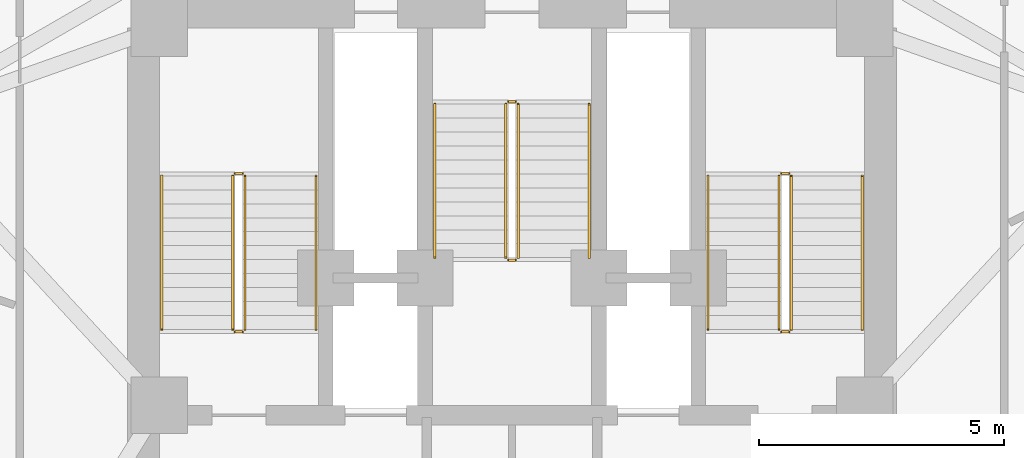
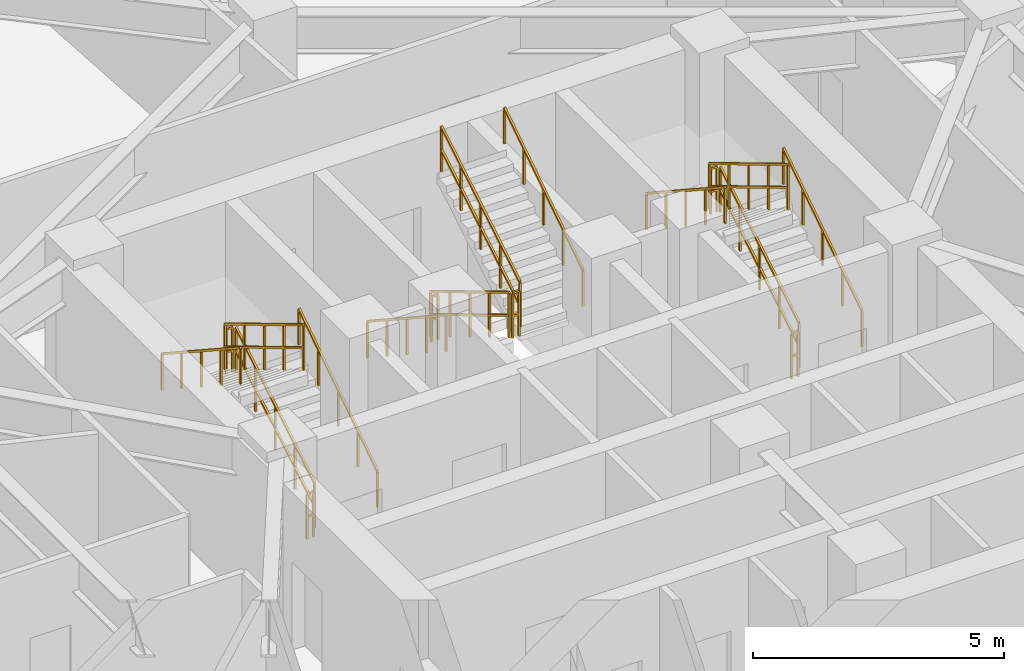
# One storey, part 11 of 12: 18 railings.
"""IFC4 building model written with IfcOpenShell, lengths in metres."""

from ifc_helpers import new_model, si_unit, direction, frame, origin, origin_2d, place, context, subcontext, project, spatial, rectangle, extrude, material, type_object, element, save


model = new_model("IFC4")

# Units and contexts
model_context = context("Model", 3, precision=1e-05, world=origin(), true_north=direction((0.0, 1.0)))
body_context = subcontext(model_context, "Body", "Model", "MODEL_VIEW")
ifc_project = project(units=[si_unit("LENGTHUNIT", "METRE"), si_unit("AREAUNIT", "SQUARE_METRE"), si_unit("VOLUMEUNIT", "CUBIC_METRE"), si_unit("PLANEANGLEUNIT", "RADIAN"), si_unit("MASSUNIT", "GRAM", prefix="KILO")], contexts=[model_context])

# Site, building, storey
site_placement = place(None, origin())
site = spatial("IfcSite", under=ifc_project, at=site_placement, CompositionType="ELEMENT")
building_placement = place(site_placement, origin())
building = spatial("IfcBuilding", under=site, at=building_placement, Name="Apsidion Concourse Tower", CompositionType="ELEMENT")
storey_placement = place(building_placement, frame((0.0, 0.0, 198.300048828125)))
storey = spatial("IfcBuildingStorey", under=building, at=storey_placement, Name="L46", CompositionType="ELEMENT", Elevation=198.300048828125)

# Railings
ifc_material = material(Name="Brushed stainless steel 316", Category="steel")
railing_type_1 = type_object("IfcRailingType", Name="RL-GUARD-1100", PredefinedType="GUARDRAIL", material=ifc_material)
railing_1_placement = place(storey_placement, frame((-5.449951171875, 3.0, 0.1708984375)))
element("IfcRailing", 1, at=railing_1_placement, inside=storey, type_object=railing_type_1, Name="L46 ST1 stair guard 1", PredefinedType="GUARDRAIL", context=body_context, shape_type="SweptSolid", body=[
    extrude(rectangle(XDim=0.048095703125, YDim=0.048095703125, at=origin_2d()), frame((0.0, 0.0, 1.09619140625), z_axis=(0.0, 0.857716804754, 0.514122439544), x_axis=(-1.0, 0.0, 0.0)), (0.0, 0.0, 1.0), 3.655029296875),
    extrude(rectangle(XDim=0.048095703125, YDim=0.048095703125, at=origin_2d()), frame((0.0, 0.0, 0.5361328125), z_axis=(0.0, 0.857716804754, 0.514122439544), x_axis=(-1.0, 0.0, 0.0)), (0.0, 0.0, 1.0), 3.655029296875),
    extrude(rectangle(XDim=0.0419921875, YDim=0.0419921875, at=origin_2d()), origin(), (0.0, 0.0, 1.0), 1.072021484375),
    extrude(rectangle(XDim=0.0419921875, YDim=0.0419921875, at=origin_2d()), frame((0.0, 0.78369140625, 0.4697265625)), (0.0, 0.0, 1.0), 1.072021484375),
    extrude(rectangle(XDim=0.0419921875, YDim=0.0419921875, at=origin_2d()), frame((0.0, 1.5673828125, 0.939453125)), (0.0, 0.0, 1.0), 1.072021484375),
    extrude(rectangle(XDim=0.0419921875, YDim=0.0419921875, at=origin_2d()), frame((0.0, 2.351318359375, 1.409423828125)), (0.0, 0.0, 1.0), 1.072021484375),
    extrude(rectangle(XDim=0.0419921875, YDim=0.0419921875, at=origin_2d()), frame((0.0, 3.135009765625, 1.879150390625)), (0.0, 0.0, 1.0), 1.072021484375),
])
railing_2_placement = place(storey_placement, frame((-5.5, 6.18505859375, 2.050048828125)))
element("IfcRailing", 2, at=railing_2_placement, inside=storey, type_object=railing_type_1, Name="L46 ST1 stair guard 2", PredefinedType="GUARDRAIL", context=body_context, shape_type="SweptSolid", body=[
    extrude(rectangle(XDim=0.048095703125, YDim=0.048095703125, at=origin_2d()), frame((0.0, 0.0, 1.09619140625), z_axis=(-1.0, 0.0, 0.0), x_axis=(0.0, -1.0, 0.0)), (0.0, 0.0, 1.0), 0.14990234375),
    extrude(rectangle(XDim=0.048095703125, YDim=0.048095703125, at=origin_2d()), frame((0.0, 0.0, 0.5361328125), z_axis=(-1.0, 0.0, 0.0), x_axis=(0.0, -1.0, 0.0)), (0.0, 0.0, 1.0), 0.14990234375),
    extrude(rectangle(XDim=0.0419921875, YDim=0.0419921875, at=origin_2d()), origin(), (0.0, 0.0, 1.0), 1.072021484375),
    extrude(rectangle(XDim=0.0419921875, YDim=0.0419921875, at=origin_2d()), frame((-0.14990234375, 0.0, 0.0)), (0.0, 0.0, 1.0), 1.072021484375),
])
railing_3_placement = place(storey_placement, frame((-5.699951171875, 6.135009765625, 2.220703125)))
element("IfcRailing", 3, at=railing_3_placement, inside=storey, type_object=railing_type_1, Name="L46 ST1 stair guard 3", PredefinedType="GUARDRAIL", context=body_context, shape_type="SweptSolid", body=[
    extrude(rectangle(XDim=0.048095703125, YDim=0.048095703125, at=origin_2d()), frame((0.0, 0.0, 1.09619140625), z_axis=(0.0, -0.857716804754, 0.514122439544), x_axis=(1.0, 0.0, 0.0)), (0.0, 0.0, 1.0), 3.655029296875),
    extrude(rectangle(XDim=0.048095703125, YDim=0.048095703125, at=origin_2d()), frame((0.0, 0.0, 0.5361328125), z_axis=(0.0, -0.857716804754, 0.514122439544), x_axis=(1.0, 0.0, 0.0)), (0.0, 0.0, 1.0), 3.655029296875),
    extrude(rectangle(XDim=0.0419921875, YDim=0.0419921875, at=origin_2d()), origin(), (0.0, 0.0, 1.0), 1.072021484375),
    extrude(rectangle(XDim=0.0419921875, YDim=0.0419921875, at=origin_2d()), frame((0.0, -0.78369140625, 0.4697265625)), (0.0, 0.0, 1.0), 1.072021484375),
    extrude(rectangle(XDim=0.0419921875, YDim=0.0419921875, at=origin_2d()), frame((0.0, -1.5673828125, 0.939453125)), (0.0, 0.0, 1.0), 1.072021484375),
    extrude(rectangle(XDim=0.0419921875, YDim=0.0419921875, at=origin_2d()), frame((0.0, -2.351318359375, 1.409423828125)), (0.0, 0.0, 1.0), 1.072021484375),
    extrude(rectangle(XDim=0.0419921875, YDim=0.0419921875, at=origin_2d()), frame((0.0, -3.135009765625, 1.879150390625)), (0.0, 0.0, 1.0), 1.072021484375),
])
railing_4_placement = place(storey_placement, frame((-5.5, 2.949951171875, 0.0)))
element("IfcRailing", 4, at=railing_4_placement, inside=storey, type_object=railing_type_1, Name="L46 ST1 stair guard 4", PredefinedType="GUARDRAIL", context=body_context, shape_type="SweptSolid", body=[
    extrude(rectangle(XDim=0.048095703125, YDim=0.048095703125, at=origin_2d()), frame((0.0, 0.0, 1.09619140625), z_axis=(-1.0, 0.0, 0.0), x_axis=(0.0, -1.0, 0.0)), (0.0, 0.0, 1.0), 0.14990234375),
    extrude(rectangle(XDim=0.048095703125, YDim=0.048095703125, at=origin_2d()), frame((0.0, 0.0, 0.5361328125), z_axis=(-1.0, 0.0, 0.0), x_axis=(0.0, -1.0, 0.0)), (0.0, 0.0, 1.0), 0.14990234375),
    extrude(rectangle(XDim=0.0419921875, YDim=0.0419921875, at=origin_2d()), origin(), (0.0, 0.0, 1.0), 1.072021484375),
    extrude(rectangle(XDim=0.0419921875, YDim=0.0419921875, at=origin_2d()), frame((-0.14990234375, 0.0, 0.0)), (0.0, 0.0, 1.0), 1.072021484375),
])
railing_5_placement = place(storey_placement, frame((5.699951171875, 3.0, 0.1708984375)))
element("IfcRailing", 5, at=railing_5_placement, inside=storey, type_object=railing_type_1, Name="L46 ST2 stair guard 1", PredefinedType="GUARDRAIL", context=body_context, shape_type="SweptSolid", body=[
    extrude(rectangle(XDim=0.048095703125, YDim=0.048095703125, at=origin_2d()), frame((0.0, 0.0, 1.09619140625), z_axis=(0.0, 0.857716804754, 0.514122439544), x_axis=(-1.0, 0.0, 0.0)), (0.0, 0.0, 1.0), 3.655029296875),
    extrude(rectangle(XDim=0.048095703125, YDim=0.048095703125, at=origin_2d()), frame((0.0, 0.0, 0.5361328125), z_axis=(0.0, 0.857716804754, 0.514122439544), x_axis=(-1.0, 0.0, 0.0)), (0.0, 0.0, 1.0), 3.655029296875),
    extrude(rectangle(XDim=0.0419921875, YDim=0.0419921875, at=origin_2d()), origin(), (0.0, 0.0, 1.0), 1.072021484375),
    extrude(rectangle(XDim=0.0419921875, YDim=0.0419921875, at=origin_2d()), frame((0.0, 0.78369140625, 0.4697265625)), (0.0, 0.0, 1.0), 1.072021484375),
    extrude(rectangle(XDim=0.0419921875, YDim=0.0419921875, at=origin_2d()), frame((0.0, 1.5673828125, 0.939453125)), (0.0, 0.0, 1.0), 1.072021484375),
    extrude(rectangle(XDim=0.0419921875, YDim=0.0419921875, at=origin_2d()), frame((0.0, 2.351318359375, 1.409423828125)), (0.0, 0.0, 1.0), 1.072021484375),
    extrude(rectangle(XDim=0.0419921875, YDim=0.0419921875, at=origin_2d()), frame((0.0, 3.135009765625, 1.879150390625)), (0.0, 0.0, 1.0), 1.072021484375),
])
railing_6_placement = place(storey_placement, frame((5.64990234375, 6.18505859375, 2.050048828125)))
element("IfcRailing", 6, at=railing_6_placement, inside=storey, type_object=railing_type_1, Name="L46 ST2 stair guard 2", PredefinedType="GUARDRAIL", context=body_context, shape_type="SweptSolid", body=[
    extrude(rectangle(XDim=0.048095703125, YDim=0.048095703125, at=origin_2d()), frame((0.0, 0.0, 1.09619140625), z_axis=(-1.0, 0.0, 0.0), x_axis=(0.0, -1.0, 0.0)), (0.0, 0.0, 1.0), 0.14990234375),
    extrude(rectangle(XDim=0.048095703125, YDim=0.048095703125, at=origin_2d()), frame((0.0, 0.0, 0.5361328125), z_axis=(-1.0, 0.0, 0.0), x_axis=(0.0, -1.0, 0.0)), (0.0, 0.0, 1.0), 0.14990234375),
    extrude(rectangle(XDim=0.0419921875, YDim=0.0419921875, at=origin_2d()), origin(), (0.0, 0.0, 1.0), 1.072021484375),
    extrude(rectangle(XDim=0.0419921875, YDim=0.0419921875, at=origin_2d()), frame((-0.14990234375, 0.0, 0.0)), (0.0, 0.0, 1.0), 1.072021484375),
])
railing_7_placement = place(storey_placement, frame((5.449951171875, 6.135009765625, 2.220703125)))
element("IfcRailing", 7, at=railing_7_placement, inside=storey, type_object=railing_type_1, Name="L46 ST2 stair guard 3", PredefinedType="GUARDRAIL", context=body_context, shape_type="SweptSolid", body=[
    extrude(rectangle(XDim=0.048095703125, YDim=0.048095703125, at=origin_2d()), frame((0.0, 0.0, 1.09619140625), z_axis=(0.0, -0.857716804754, 0.514122439544), x_axis=(1.0, 0.0, 0.0)), (0.0, 0.0, 1.0), 3.655029296875),
    extrude(rectangle(XDim=0.048095703125, YDim=0.048095703125, at=origin_2d()), frame((0.0, 0.0, 0.5361328125), z_axis=(0.0, -0.857716804754, 0.514122439544), x_axis=(1.0, 0.0, 0.0)), (0.0, 0.0, 1.0), 3.655029296875),
    extrude(rectangle(XDim=0.0419921875, YDim=0.0419921875, at=origin_2d()), origin(), (0.0, 0.0, 1.0), 1.072021484375),
    extrude(rectangle(XDim=0.0419921875, YDim=0.0419921875, at=origin_2d()), frame((0.0, -0.78369140625, 0.4697265625)), (0.0, 0.0, 1.0), 1.072021484375),
    extrude(rectangle(XDim=0.0419921875, YDim=0.0419921875, at=origin_2d()), frame((0.0, -1.5673828125, 0.939453125)), (0.0, 0.0, 1.0), 1.072021484375),
    extrude(rectangle(XDim=0.0419921875, YDim=0.0419921875, at=origin_2d()), frame((0.0, -2.351318359375, 1.409423828125)), (0.0, 0.0, 1.0), 1.072021484375),
    extrude(rectangle(XDim=0.0419921875, YDim=0.0419921875, at=origin_2d()), frame((0.0, -3.135009765625, 1.879150390625)), (0.0, 0.0, 1.0), 1.072021484375),
])
railing_8_placement = place(storey_placement, frame((5.64990234375, 2.949951171875, 0.0)))
element("IfcRailing", 8, at=railing_8_placement, inside=storey, type_object=railing_type_1, Name="L46 ST2 stair guard 4", PredefinedType="GUARDRAIL", context=body_context, shape_type="SweptSolid", body=[
    extrude(rectangle(XDim=0.048095703125, YDim=0.048095703125, at=origin_2d()), frame((0.0, 0.0, 1.09619140625), z_axis=(-1.0, 0.0, 0.0), x_axis=(0.0, -1.0, 0.0)), (0.0, 0.0, 1.0), 0.14990234375),
    extrude(rectangle(XDim=0.048095703125, YDim=0.048095703125, at=origin_2d()), frame((0.0, 0.0, 0.5361328125), z_axis=(-1.0, 0.0, 0.0), x_axis=(0.0, -1.0, 0.0)), (0.0, 0.0, 1.0), 0.14990234375),
    extrude(rectangle(XDim=0.0419921875, YDim=0.0419921875, at=origin_2d()), origin(), (0.0, 0.0, 1.0), 1.072021484375),
    extrude(rectangle(XDim=0.0419921875, YDim=0.0419921875, at=origin_2d()), frame((-0.14990234375, 0.0, 0.0)), (0.0, 0.0, 1.0), 1.072021484375),
])
railing_9_placement = place(storey_placement, frame((-0.125, 7.60009765625, 0.1708984375)))
element("IfcRailing", 9, at=railing_9_placement, inside=storey, type_object=railing_type_1, Name="L46 ST3 stair guard 1", PredefinedType="GUARDRAIL", context=body_context, shape_type="SweptSolid", body=[
    extrude(rectangle(XDim=0.048095703125, YDim=0.048095703125, at=origin_2d()), frame((0.0, 0.0, 1.09619140625), z_axis=(0.0, -0.857716804754, 0.514122439544), x_axis=(1.0, 0.0, 0.0)), (0.0, 0.0, 1.0), 3.655029296875),
    extrude(rectangle(XDim=0.048095703125, YDim=0.048095703125, at=origin_2d()), frame((0.0, 0.0, 0.5361328125), z_axis=(0.0, -0.857716804754, 0.514122439544), x_axis=(1.0, 0.0, 0.0)), (0.0, 0.0, 1.0), 3.655029296875),
    extrude(rectangle(XDim=0.0419921875, YDim=0.0419921875, at=origin_2d()), origin(), (0.0, 0.0, 1.0), 1.072021484375),
    extrude(rectangle(XDim=0.0419921875, YDim=0.0419921875, at=origin_2d()), frame((0.0, -0.78369140625, 0.4697265625)), (0.0, 0.0, 1.0), 1.072021484375),
    extrude(rectangle(XDim=0.0419921875, YDim=0.0419921875, at=origin_2d()), frame((0.0, -1.5673828125, 0.939453125)), (0.0, 0.0, 1.0), 1.072021484375),
    extrude(rectangle(XDim=0.0419921875, YDim=0.0419921875, at=origin_2d()), frame((0.0, -2.351318359375, 1.409423828125)), (0.0, 0.0, 1.0), 1.072021484375),
    extrude(rectangle(XDim=0.0419921875, YDim=0.0419921875, at=origin_2d()), frame((0.0, -3.135009765625, 1.879150390625)), (0.0, 0.0, 1.0), 1.072021484375),
])
railing_10_placement = place(storey_placement, frame((-0.074951171875, 4.4150390625, 2.050048828125)))
element("IfcRailing", 10, at=railing_10_placement, inside=storey, type_object=railing_type_1, Name="L46 ST3 stair guard 2", PredefinedType="GUARDRAIL", context=body_context, shape_type="SweptSolid", body=[
    extrude(rectangle(XDim=0.048095703125, YDim=0.048095703125, at=origin_2d()), frame((0.0, 0.0, 1.09619140625), z_axis=(1.0, 0.0, 0.0), x_axis=(0.0, 1.0, 0.0)), (0.0, 0.0, 1.0), 0.14990234375),
    extrude(rectangle(XDim=0.048095703125, YDim=0.048095703125, at=origin_2d()), frame((0.0, 0.0, 0.5361328125), z_axis=(1.0, 0.0, 0.0), x_axis=(0.0, 1.0, 0.0)), (0.0, 0.0, 1.0), 0.14990234375),
    extrude(rectangle(XDim=0.0419921875, YDim=0.0419921875, at=origin_2d()), origin(), (0.0, 0.0, 1.0), 1.072021484375),
    extrude(rectangle(XDim=0.0419921875, YDim=0.0419921875, at=origin_2d()), frame((0.14990234375, 0.0, 0.0)), (0.0, 0.0, 1.0), 1.072021484375),
])
railing_11_placement = place(storey_placement, frame((0.125, 4.465087890625, 2.220703125)))
element("IfcRailing", 11, at=railing_11_placement, inside=storey, type_object=railing_type_1, Name="L46 ST3 stair guard 3", PredefinedType="GUARDRAIL", context=body_context, shape_type="SweptSolid", body=[
    extrude(rectangle(XDim=0.048095703125, YDim=0.048095703125, at=origin_2d()), frame((0.0, 0.0, 1.09619140625), z_axis=(0.0, 0.857716804754, 0.514122439544), x_axis=(-1.0, 0.0, 0.0)), (0.0, 0.0, 1.0), 3.655029296875),
    extrude(rectangle(XDim=0.048095703125, YDim=0.048095703125, at=origin_2d()), frame((0.0, 0.0, 0.5361328125), z_axis=(0.0, 0.857716804754, 0.514122439544), x_axis=(-1.0, 0.0, 0.0)), (0.0, 0.0, 1.0), 3.655029296875),
    extrude(rectangle(XDim=0.0419921875, YDim=0.0419921875, at=origin_2d()), origin(), (0.0, 0.0, 1.0), 1.072021484375),
    extrude(rectangle(XDim=0.0419921875, YDim=0.0419921875, at=origin_2d()), frame((0.0, 0.78369140625, 0.4697265625)), (0.0, 0.0, 1.0), 1.072021484375),
    extrude(rectangle(XDim=0.0419921875, YDim=0.0419921875, at=origin_2d()), frame((0.0, 1.5673828125, 0.939453125)), (0.0, 0.0, 1.0), 1.072021484375),
    extrude(rectangle(XDim=0.0419921875, YDim=0.0419921875, at=origin_2d()), frame((0.0, 2.351318359375, 1.409423828125)), (0.0, 0.0, 1.0), 1.072021484375),
    extrude(rectangle(XDim=0.0419921875, YDim=0.0419921875, at=origin_2d()), frame((0.0, 3.135009765625, 1.879150390625)), (0.0, 0.0, 1.0), 1.072021484375),
])
railing_12_placement = place(storey_placement, frame((-0.074951171875, 7.64990234375, 0.0)))
element("IfcRailing", 12, at=railing_12_placement, inside=storey, type_object=railing_type_1, Name="L46 ST3 stair guard 4", PredefinedType="GUARDRAIL", context=body_context, shape_type="SweptSolid", body=[
    extrude(rectangle(XDim=0.048095703125, YDim=0.048095703125, at=origin_2d()), frame((0.0, 0.0, 1.09619140625), z_axis=(1.0, 0.0, 0.0), x_axis=(0.0, 1.0, 0.0)), (0.0, 0.0, 1.0), 0.14990234375),
    extrude(rectangle(XDim=0.048095703125, YDim=0.048095703125, at=origin_2d()), frame((0.0, 0.0, 0.5361328125), z_axis=(1.0, 0.0, 0.0), x_axis=(0.0, 1.0, 0.0)), (0.0, 0.0, 1.0), 0.14990234375),
    extrude(rectangle(XDim=0.0419921875, YDim=0.0419921875, at=origin_2d()), origin(), (0.0, 0.0, 1.0), 1.072021484375),
    extrude(rectangle(XDim=0.0419921875, YDim=0.0419921875, at=origin_2d()), frame((0.14990234375, 0.0, 0.0)), (0.0, 0.0, 1.0), 1.072021484375),
])
railing_type_2 = type_object("IfcRailingType", Name="RL-HAND-900", PredefinedType="HANDRAIL", material=ifc_material)
railing_13_placement = place(storey_placement, frame((-4.0, 3.0, 0.1708984375)))
element("IfcRailing", 13, at=railing_13_placement, inside=storey, type_object=railing_type_2, Name="L46 ST1 stair handrail 1", PredefinedType="HANDRAIL", context=body_context, shape_type="SweptSolid", body=[
    extrude(rectangle(XDim=0.048095703125, YDim=0.048095703125, at=origin_2d()), frame((0.0, 0.0, 0.8759765625), z_axis=(0.0, 0.836970762213, 0.547247606848), x_axis=(-1.0, 0.0, 0.0)), (0.0, 0.0, 1.0), 3.74560546875),
    extrude(rectangle(XDim=0.0419921875, YDim=0.0419921875, at=origin_2d()), origin(), (0.0, 0.0, 1.0), 0.851806640625),
    extrude(rectangle(XDim=0.0419921875, YDim=0.0419921875, at=origin_2d()), frame((0.0, 0.78369140625, 0.512451171875)), (0.0, 0.0, 1.0), 0.851806640625),
    extrude(rectangle(XDim=0.0419921875, YDim=0.0419921875, at=origin_2d()), frame((0.0, 1.5673828125, 1.02490234375)), (0.0, 0.0, 1.0), 0.851806640625),
    extrude(rectangle(XDim=0.0419921875, YDim=0.0419921875, at=origin_2d()), frame((0.0, 2.351318359375, 1.537353515625)), (0.0, 0.0, 1.0), 0.851806640625),
    extrude(rectangle(XDim=0.0419921875, YDim=0.0419921875, at=origin_2d()), frame((0.0, 3.135009765625, 2.0498046875)), (0.0, 0.0, 1.0), 0.851806640625),
])
railing_14_placement = place(storey_placement, frame((-7.14990234375, 6.135009765625, 2.220703125)))
element("IfcRailing", 14, at=railing_14_placement, inside=storey, type_object=railing_type_2, Name="L46 ST1 stair handrail 2", PredefinedType="HANDRAIL", context=body_context, shape_type="SweptSolid", body=[
    extrude(rectangle(XDim=0.048095703125, YDim=0.048095703125, at=origin_2d()), frame((0.0, 0.0, 0.8759765625), z_axis=(0.0, -0.836940907821, 0.547293263996), x_axis=(1.0, 0.0, 0.0)), (0.0, 0.0, 1.0), 3.745849609375),
    extrude(rectangle(XDim=0.0419921875, YDim=0.0419921875, at=origin_2d()), origin(), (0.0, 0.0, 1.0), 0.851806640625),
    extrude(rectangle(XDim=0.0419921875, YDim=0.0419921875, at=origin_2d()), frame((0.0, -0.78369140625, 0.512451171875)), (0.0, 0.0, 1.0), 0.851806640625),
    extrude(rectangle(XDim=0.0419921875, YDim=0.0419921875, at=origin_2d()), frame((0.0, -1.5673828125, 1.02490234375)), (0.0, 0.0, 1.0), 0.851806640625),
    extrude(rectangle(XDim=0.0419921875, YDim=0.0419921875, at=origin_2d()), frame((0.0, -2.351318359375, 1.53759765625)), (0.0, 0.0, 1.0), 0.851806640625),
    extrude(rectangle(XDim=0.0419921875, YDim=0.0419921875, at=origin_2d()), frame((0.0, -3.135009765625, 2.050048828125)), (0.0, 0.0, 1.0), 0.851806640625),
])
railing_15_placement = place(storey_placement, frame((7.14990234375, 3.0, 0.1708984375)))
element("IfcRailing", 15, at=railing_15_placement, inside=storey, type_object=railing_type_2, Name="L46 ST2 stair handrail 1", PredefinedType="HANDRAIL", context=body_context, shape_type="SweptSolid", body=[
    extrude(rectangle(XDim=0.048095703125, YDim=0.048095703125, at=origin_2d()), frame((0.0, 0.0, 0.8759765625), z_axis=(0.0, 0.836970762213, 0.547247606848), x_axis=(-1.0, 0.0, 0.0)), (0.0, 0.0, 1.0), 3.74560546875),
    extrude(rectangle(XDim=0.0419921875, YDim=0.0419921875, at=origin_2d()), origin(), (0.0, 0.0, 1.0), 0.851806640625),
    extrude(rectangle(XDim=0.0419921875, YDim=0.0419921875, at=origin_2d()), frame((0.0, 0.78369140625, 0.512451171875)), (0.0, 0.0, 1.0), 0.851806640625),
    extrude(rectangle(XDim=0.0419921875, YDim=0.0419921875, at=origin_2d()), frame((0.0, 1.5673828125, 1.02490234375)), (0.0, 0.0, 1.0), 0.851806640625),
    extrude(rectangle(XDim=0.0419921875, YDim=0.0419921875, at=origin_2d()), frame((0.0, 2.351318359375, 1.537353515625)), (0.0, 0.0, 1.0), 0.851806640625),
    extrude(rectangle(XDim=0.0419921875, YDim=0.0419921875, at=origin_2d()), frame((0.0, 3.135009765625, 2.0498046875)), (0.0, 0.0, 1.0), 0.851806640625),
])
railing_16_placement = place(storey_placement, frame((4.0, 6.135009765625, 2.220703125)))
element("IfcRailing", 16, at=railing_16_placement, inside=storey, type_object=railing_type_2, Name="L46 ST2 stair handrail 2", PredefinedType="HANDRAIL", context=body_context, shape_type="SweptSolid", body=[
    extrude(rectangle(XDim=0.048095703125, YDim=0.048095703125, at=origin_2d()), frame((0.0, 0.0, 0.8759765625), z_axis=(0.0, -0.836940907821, 0.547293263996), x_axis=(1.0, 0.0, 0.0)), (0.0, 0.0, 1.0), 3.745849609375),
    extrude(rectangle(XDim=0.0419921875, YDim=0.0419921875, at=origin_2d()), origin(), (0.0, 0.0, 1.0), 0.851806640625),
    extrude(rectangle(XDim=0.0419921875, YDim=0.0419921875, at=origin_2d()), frame((0.0, -0.78369140625, 0.512451171875)), (0.0, 0.0, 1.0), 0.851806640625),
    extrude(rectangle(XDim=0.0419921875, YDim=0.0419921875, at=origin_2d()), frame((0.0, -1.5673828125, 1.02490234375)), (0.0, 0.0, 1.0), 0.851806640625),
    extrude(rectangle(XDim=0.0419921875, YDim=0.0419921875, at=origin_2d()), frame((0.0, -2.351318359375, 1.53759765625)), (0.0, 0.0, 1.0), 0.851806640625),
    extrude(rectangle(XDim=0.0419921875, YDim=0.0419921875, at=origin_2d()), frame((0.0, -3.135009765625, 2.050048828125)), (0.0, 0.0, 1.0), 0.851806640625),
])
railing_17_placement = place(storey_placement, frame((-1.574951171875, 7.60009765625, 0.1708984375)))
element("IfcRailing", 17, at=railing_17_placement, inside=storey, type_object=railing_type_2, Name="L46 ST3 stair handrail 1", PredefinedType="HANDRAIL", context=body_context, shape_type="SweptSolid", body=[
    extrude(rectangle(XDim=0.048095703125, YDim=0.048095703125, at=origin_2d()), frame((0.0, 0.0, 0.8759765625), z_axis=(0.0, -0.836970762213, 0.547247606848), x_axis=(1.0, 0.0, 0.0)), (0.0, 0.0, 1.0), 3.74560546875),
    extrude(rectangle(XDim=0.0419921875, YDim=0.0419921875, at=origin_2d()), origin(), (0.0, 0.0, 1.0), 0.851806640625),
    extrude(rectangle(XDim=0.0419921875, YDim=0.0419921875, at=origin_2d()), frame((0.0, -0.78369140625, 0.512451171875)), (0.0, 0.0, 1.0), 0.851806640625),
    extrude(rectangle(XDim=0.0419921875, YDim=0.0419921875, at=origin_2d()), frame((0.0, -1.5673828125, 1.02490234375)), (0.0, 0.0, 1.0), 0.851806640625),
    extrude(rectangle(XDim=0.0419921875, YDim=0.0419921875, at=origin_2d()), frame((0.0, -2.351318359375, 1.537353515625)), (0.0, 0.0, 1.0), 0.851806640625),
    extrude(rectangle(XDim=0.0419921875, YDim=0.0419921875, at=origin_2d()), frame((0.0, -3.135009765625, 2.0498046875)), (0.0, 0.0, 1.0), 0.851806640625),
])
railing_18_placement = place(storey_placement, frame((1.574951171875, 4.465087890625, 2.220703125)))
element("IfcRailing", 18, at=railing_18_placement, inside=storey, type_object=railing_type_2, Name="L46 ST3 stair handrail 2", PredefinedType="HANDRAIL", context=body_context, shape_type="SweptSolid", body=[
    extrude(rectangle(XDim=0.048095703125, YDim=0.048095703125, at=origin_2d()), frame((0.0, 0.0, 0.8759765625), z_axis=(0.0, 0.836940907821, 0.547293263996), x_axis=(-1.0, 0.0, 0.0)), (0.0, 0.0, 1.0), 3.745849609375),
    extrude(rectangle(XDim=0.0419921875, YDim=0.0419921875, at=origin_2d()), origin(), (0.0, 0.0, 1.0), 0.851806640625),
    extrude(rectangle(XDim=0.0419921875, YDim=0.0419921875, at=origin_2d()), frame((0.0, 0.78369140625, 0.512451171875)), (0.0, 0.0, 1.0), 0.851806640625),
    extrude(rectangle(XDim=0.0419921875, YDim=0.0419921875, at=origin_2d()), frame((0.0, 1.5673828125, 1.02490234375)), (0.0, 0.0, 1.0), 0.851806640625),
    extrude(rectangle(XDim=0.0419921875, YDim=0.0419921875, at=origin_2d()), frame((0.0, 2.351318359375, 1.53759765625)), (0.0, 0.0, 1.0), 0.851806640625),
    extrude(rectangle(XDim=0.0419921875, YDim=0.0419921875, at=origin_2d()), frame((0.0, 3.135009765625, 2.050048828125)), (0.0, 0.0, 1.0), 0.851806640625),
])

save(model, "model.ifc")
